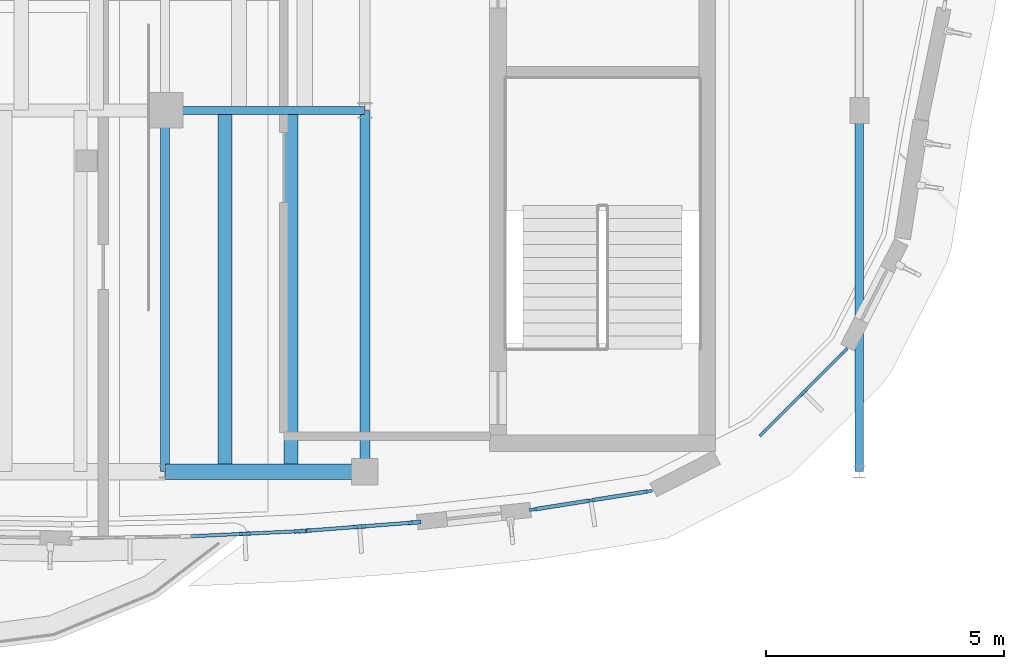
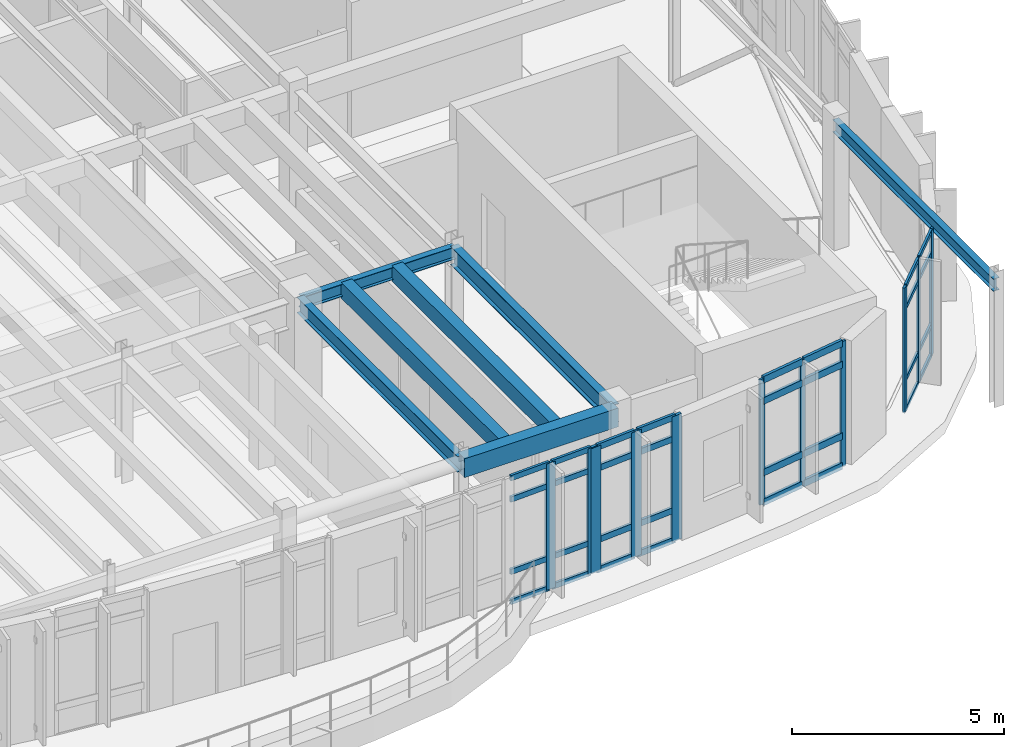
# One storey, part 50 of 111: 43 members, 7 beams, 4 elements without a shape of their own.
"""IFC4 building model written with IfcOpenShell, lengths in metres."""

from ifc_helpers import new_model, si_unit, direction, frame, origin, origin_2d, place, context, subcontext, project, spatial, rectangle, i_section, extrude, material, material_profile, profile_set, type_object, element, aggregate, save


model = new_model("IFC4")

# Units and contexts
model_context = context("Model", 3, precision=1e-05, world=origin(), true_north=direction((0.0, 1.0)))
body_context = subcontext(model_context, "Body", "Model", "MODEL_VIEW")
ifc_project = project(units=[si_unit("LENGTHUNIT", "METRE"), si_unit("AREAUNIT", "SQUARE_METRE"), si_unit("VOLUMEUNIT", "CUBIC_METRE"), si_unit("PLANEANGLEUNIT", "RADIAN"), si_unit("MASSUNIT", "GRAM", prefix="KILO")], contexts=[model_context])

# Site, building, storey
site_placement = place(None, origin())
site = spatial("IfcSite", under=ifc_project, at=site_placement, CompositionType="ELEMENT")
building_placement = place(site_placement, origin())
building = spatial("IfcBuilding", under=site, at=building_placement, Name="Corveleigh Park Community Centre", CompositionType="ELEMENT")
storey_placement = place(building_placement, frame((0.0, 0.0, 4.800048828125)))
storey = spatial("IfcBuildingStorey", under=building, at=storey_placement, Name="L01", CompositionType="ELEMENT", Elevation=4.800048828125)

# Beams
ifc_material_1 = material(Name="Concrete C40/50", Category="concrete")
ifc_material_profile_1 = material_profile(ifc_material_1, rectangle(XDim=0.300048828125, YDim=0.449951171875, at=origin_2d()), Name="RC-300x450", Category="concrete")
ifc_profile_set_1 = profile_set([ifc_material_profile_1], Name="Concrete C40/50")
beam_type_1 = type_object("IfcBeamType", Name="BM-RC-300x450", PredefinedType="JOIST", material=ifc_profile_set_1)
for number, where, z_axis, x_axis, name in (
    (1, (155.06005859375, 58.60498046875, 3.386962890625), (0.0, 1.0, 0.0), (-1.0, 0.0, 0.0), "Secondary floor joist"),
    (2, (156.446044921875, 58.60498046875, 3.386962890625), (0.0, 1.0, 0.0), (-1.0, 0.0, 0.0), "Secondary floor joist"),
):
    element("IfcBeam", number, at=place(storey_placement, frame(where, z_axis=z_axis, x_axis=x_axis)), inside=storey, type_object=beam_type_1, Name=name, PredefinedType="JOIST", context=body_context, shape_type="SweptSolid", body=[
        extrude(rectangle(XDim=0.300048828125, YDim=0.449951171875, at=origin_2d()), origin(), (0.0, 0.0, 1.0), 7.590087890625),
    ])
ifc_material_2 = material(Name="Steel S355", Category="steel")
ifc_material_profile_2 = material_profile(ifc_material_2, i_section(OverallWidth=0.172119140625, OverallDepth=0.35791015625, WebThickness=0.008056640625, FlangeThickness=0.012939453125, at=origin_2d()), Name="UKB 356x171x57", Category="steel")
ifc_profile_set_2 = profile_set([ifc_material_profile_2], Name="Steel S355")
beam_type_2 = type_object("IfcBeamType", Name="BM-STL-UKB356x57", PredefinedType="BEAM", material=ifc_profile_set_2)
beam_1_placement = place(storey_placement, frame((153.804931640625, 66.199951171875, 3.432861328125), z_axis=(1.0, 0.0, 0.0), x_axis=(0.0, 1.0, 0.0)))
element("IfcBeam", 3, at=beam_1_placement, inside=storey, type_object=beam_type_2, Name="V4 Girder X", PredefinedType="BEAM", context=body_context, shape_type="SweptSolid", body=[
    extrude(i_section(OverallWidth=0.172119140625, OverallDepth=0.35791015625, WebThickness=0.008056640625, FlangeThickness=0.012939453125, at=origin_2d()), origin(), (0.0, 0.0, 1.0), 4.190185546875),
])
beam_2_placement = place(storey_placement, frame((168.39990234375, 58.60498046875, 3.432861328125), z_axis=(0.0, 1.0, 0.0), x_axis=(-1.0, 0.0, 0.0)))
element("IfcBeam", 4, at=beam_2_placement, inside=storey, type_object=beam_type_2, Name="V4 Girder Y", PredefinedType="BEAM", context=body_context, shape_type="SweptSolid", body=[
    extrude(i_section(OverallWidth=0.172119140625, OverallDepth=0.35791015625, WebThickness=0.008056640625, FlangeThickness=0.012939453125, at=origin_2d()), origin(), (0.0, 0.0, 1.0), 7.590087890625),
])
ifc_material_profile_3 = material_profile(ifc_material_2, i_section(OverallWidth=0.18994140625, OverallDepth=0.453369140625, WebThickness=0.008544921875, FlangeThickness=0.0126953125, at=origin_2d()), Name="UKB 457x191x67", Category="steel")
ifc_profile_set_3 = profile_set([ifc_material_profile_3], Name="Steel S355")
beam_type_3 = type_object("IfcBeamType", Name="BM-STL-UKB457x67", PredefinedType="BEAM", material=ifc_profile_set_3)
beam_3_placement = place(storey_placement, frame((153.800048828125, 58.60498046875, 3.38525390625), z_axis=(0.0, 1.0, 0.0), x_axis=(-1.0, 0.0, 0.0)))
element("IfcBeam", 5, at=beam_3_placement, inside=storey, type_object=beam_type_3, Name="V4 Girder Y", PredefinedType="BEAM", context=body_context, shape_type="SweptSolid", body=[
    extrude(i_section(OverallWidth=0.18994140625, OverallDepth=0.453369140625, WebThickness=0.008544921875, FlangeThickness=0.0126953125, at=origin_2d()), origin(), (0.0, 0.0, 1.0), 7.590087890625),
])
ifc_material_profile_4 = material_profile(ifc_material_2, i_section(OverallWidth=0.210693359375, OverallDepth=0.53955078125, WebThickness=0.01171875, FlangeThickness=0.018798828125, at=origin_2d()), Name="UKB 533x210x109", Category="steel")
ifc_profile_set_4 = profile_set([ifc_material_profile_4], Name="Steel S355")
beam_type_4 = type_object("IfcBeamType", Name="BM-STL-UKB533x109", PredefinedType="BEAM", material=ifc_profile_set_4)
beam_4_placement = place(storey_placement, frame((158.0, 58.60498046875, 3.34228515625), z_axis=(0.0, 1.0, 0.0), x_axis=(-1.0, 0.0, 0.0)))
element("IfcBeam", 6, at=beam_4_placement, inside=storey, type_object=beam_type_4, Name="V4 Girder Y", PredefinedType="BEAM", context=body_context, shape_type="SweptSolid", body=[
    extrude(i_section(OverallWidth=0.210693359375, OverallDepth=0.53955078125, WebThickness=0.01171875, FlangeThickness=0.018798828125, at=origin_2d()), origin(), (0.0, 0.0, 1.0), 7.590087890625),
])

# Curtain wall, members
ifc_material_3 = material(Name="Anodised aluminium 6063-T6", Category="aluminium")
curtain_wall_type = type_object("IfcCurtainWallType", Name="CW-SYS-V4-L01", PredefinedType="NOTDEFINED", material=ifc_material_3)
curtain_wall_1_placement = place(storey_placement, origin())
curtain_wall_1 = element("IfcCurtainWall", 7, at=curtain_wall_1_placement, inside=storey, type_object=curtain_wall_type, Name="V4 L01 Curtain Wall 265", PredefinedType="NOTDEFINED")
ifc_material_profile_5 = material_profile(ifc_material_3, rectangle(XDim=0.06005859375, YDim=0.159912109375, at=origin_2d()), Name="ALU-M60x160", Category="aluminium")
ifc_profile_set_5 = profile_set([ifc_material_profile_5], Name="Anodised aluminium 6063-T6")
member_type_1 = type_object("IfcMemberType", Name="CWM-60x160", PredefinedType="MULLION", material=ifc_profile_set_5)
member_1_placement = place(storey_placement, frame((163.96630859375, 58.1904296875, 0.0), z_axis=(0.0, 0.0, 1.0), x_axis=(0.156207498942, -0.987724261762, 0.0)))
member_1 = element("IfcMember", 8, at=member_1_placement, type_object=member_type_1, Name="CW08 mullion 1", PredefinedType="MULLION", context=body_context, shape_type="SweptSolid", body=[
    extrude(rectangle(XDim=0.06005859375, YDim=0.159912109375, at=origin_2d()), origin(), (0.0, 0.0, 1.0), 3.612060546875),
])
member_2_placement = place(storey_placement, frame((162.75341796875, 57.99853515625, 0.0), z_axis=(0.0, 0.0, 1.0), x_axis=(0.156207498942, -0.987724261762, 0.0)))
member_2 = element("IfcMember", 9, at=member_2_placement, type_object=member_type_1, Name="CW08 mullion 2", PredefinedType="MULLION", context=body_context, shape_type="SweptSolid", body=[
    extrude(rectangle(XDim=0.06005859375, YDim=0.159912109375, at=origin_2d()), origin(), (0.0, 0.0, 1.0), 3.612060546875),
])
member_3_placement = place(storey_placement, frame((161.54052734375, 57.806640625, 0.0), z_axis=(0.0, 0.0, 1.0), x_axis=(0.156207498942, -0.987724261762, 0.0)))
member_3 = element("IfcMember", 10, at=member_3_placement, type_object=member_type_1, Name="CW08 mullion 3", PredefinedType="MULLION", context=body_context, shape_type="SweptSolid", body=[
    extrude(rectangle(XDim=0.06005859375, YDim=0.159912109375, at=origin_2d()), origin(), (0.0, 0.0, 1.0), 3.612060546875),
])

curtain_wall_2_placement = place(storey_placement, origin())
curtain_wall_2 = element("IfcCurtainWall", 11, at=curtain_wall_2_placement, inside=storey, type_object=curtain_wall_type, Name="V4 L01 Curtain Wall 266", PredefinedType="NOTDEFINED")
ifc_material_profile_6 = material_profile(ifc_material_3, rectangle(XDim=0.06494140625, YDim=0.179931640625, at=origin_2d()), Name="ALU-M65x180", Category="aluminium")
ifc_profile_set_6 = profile_set([ifc_material_profile_6], Name="Anodised aluminium 6063-T6")
member_type_2 = type_object("IfcMemberType", Name="CWM-65x180", PredefinedType="MULLION", material=ifc_profile_set_6)
member_4_placement = place(storey_placement, frame((168.083984375, 61.130126953125, 0.0), z_axis=(0.0, 0.0, 1.0), x_axis=(0.707106781187, -0.707106781187, 0.0)))
member_4 = element("IfcMember", 12, at=member_4_placement, type_object=member_type_2, Name="CW08 mullion 1", PredefinedType="MULLION", context=body_context, shape_type="SweptSolid", body=[
    extrude(rectangle(XDim=0.06494140625, YDim=0.179931640625, at=origin_2d()), origin(), (0.0, 0.0, 1.0), 3.612060546875),
])
member_5_placement = place(storey_placement, frame((167.22705078125, 60.27294921875, 0.0), z_axis=(0.0, 0.0, 1.0), x_axis=(0.707106781187, -0.707106781187, 0.0)))
member_5 = element("IfcMember", 13, at=member_5_placement, type_object=member_type_2, Name="CW08 mullion 2", PredefinedType="MULLION", context=body_context, shape_type="SweptSolid", body=[
    extrude(rectangle(XDim=0.06494140625, YDim=0.179931640625, at=origin_2d()), origin(), (0.0, 0.0, 1.0), 3.612060546875),
])
member_6_placement = place(storey_placement, frame((166.369873046875, 59.416015625, 0.0), z_axis=(0.0, 0.0, 1.0), x_axis=(0.707106781187, -0.707106781187, 0.0)))
member_6 = element("IfcMember", 14, at=member_6_placement, type_object=member_type_2, Name="CW08 mullion 3", PredefinedType="MULLION", context=body_context, shape_type="SweptSolid", body=[
    extrude(rectangle(XDim=0.06494140625, YDim=0.179931640625, at=origin_2d()), origin(), (0.0, 0.0, 1.0), 3.612060546875),
])

curtain_wall_3_placement = place(storey_placement, origin())
curtain_wall_3 = element("IfcCurtainWall", 15, at=curtain_wall_3_placement, inside=storey, type_object=curtain_wall_type, Name="V4 L01 Curtain Wall 263", PredefinedType="NOTDEFINED")
ifc_material_profile_7 = material_profile(ifc_material_3, rectangle(XDim=0.080078125, YDim=0.25, at=origin_2d()), Name="ALU-M80x250", Category="aluminium")
ifc_profile_set_7 = profile_set([ifc_material_profile_7], Name="Anodised aluminium 6063-T6")
member_type_3 = type_object("IfcMemberType", Name="CWM-80x250", PredefinedType="MULLION", material=ifc_profile_set_7)
member_7_placement = place(storey_placement, frame((156.635009765625, 57.35107421875, 0.0), z_axis=(0.0, 0.0, 1.0), x_axis=(0.046654729122, -0.998911075247, 0.0)))
member_7 = element("IfcMember", 16, at=member_7_placement, type_object=member_type_3, Name="CW08 mullion 1", PredefinedType="MULLION", context=body_context, shape_type="SweptSolid", body=[
    extrude(rectangle(XDim=0.080078125, YDim=0.25, at=origin_2d()), origin(), (0.0, 0.0, 1.0), 3.636962890625),
])
member_8_placement = place(storey_placement, frame((155.47607421875, 57.297119140625, 0.0), z_axis=(0.0, 0.0, 1.0), x_axis=(0.046654729122, -0.998911075247, 0.0)))
member_8 = element("IfcMember", 17, at=member_8_placement, type_object=member_type_3, Name="CW08 mullion 2", PredefinedType="MULLION", context=body_context, shape_type="SweptSolid", body=[
    extrude(rectangle(XDim=0.080078125, YDim=0.25, at=origin_2d()), origin(), (0.0, 0.0, 1.0), 3.636962890625),
])

curtain_wall_4_placement = place(storey_placement, origin())
curtain_wall_4 = element("IfcCurtainWall", 18, at=curtain_wall_4_placement, inside=storey, type_object=curtain_wall_type, Name="V4 L01 Curtain Wall 264", PredefinedType="NOTDEFINED")
ifc_material_profile_8 = material_profile(ifc_material_3, rectangle(XDim=0.0849609375, YDim=0.27490234375, at=origin_2d()), Name="ALU-M85x275", Category="aluminium")
ifc_profile_set_8 = profile_set([ifc_material_profile_8], Name="Anodised aluminium 6063-T6")
member_type_4 = type_object("IfcMemberType", Name="CWM-85x275", PredefinedType="MULLION", material=ifc_profile_set_8)
member_9_placement = place(storey_placement, frame((159.044677734375, 57.53466796875, 0.0), z_axis=(0.0, 0.0, 1.0), x_axis=(0.076632801378, -0.997059383263, 0.0)))
member_9 = element("IfcMember", 19, at=member_9_placement, type_object=member_type_4, Name="CW08 mullion 1", PredefinedType="MULLION", context=body_context, shape_type="SweptSolid", body=[
    extrude(rectangle(XDim=0.0849609375, YDim=0.27490234375, at=origin_2d()), origin(), (0.0, 0.0, 1.0), 3.612060546875),
])
member_10_placement = place(storey_placement, frame((157.889892578125, 57.446044921875, 0.0), z_axis=(0.0, 0.0, 1.0), x_axis=(0.076632801378, -0.997059383263, 0.0)))
member_10 = element("IfcMember", 20, at=member_10_placement, type_object=member_type_4, Name="CW08 mullion 2", PredefinedType="MULLION", context=body_context, shape_type="SweptSolid", body=[
    extrude(rectangle(XDim=0.0849609375, YDim=0.27490234375, at=origin_2d()), origin(), (0.0, 0.0, 1.0), 3.612060546875),
])
member_11_placement = place(storey_placement, frame((156.7353515625, 57.357177734375, 0.0), z_axis=(0.0, 0.0, 1.0), x_axis=(0.076632801378, -0.997059383263, 0.0)))
member_11 = element("IfcMember", 21, at=member_11_placement, type_object=member_type_4, Name="CW08 mullion 3", PredefinedType="MULLION", context=body_context, shape_type="SweptSolid", body=[
    extrude(rectangle(XDim=0.0849609375, YDim=0.27490234375, at=origin_2d()), origin(), (0.0, 0.0, 1.0), 3.612060546875),
])

# Member
ifc_material_profile_9 = material_profile(ifc_material_3, rectangle(XDim=0.06005859375, YDim=0.1201171875, at=origin_2d()), Name="ALU-T60x120", Category="aluminium")
ifc_profile_set_9 = profile_set([ifc_material_profile_9], Name="Anodised aluminium 6063-T6")
member_type_5 = type_object("IfcMemberType", Name="CWT-60x120", PredefinedType="USERDEFINED", material=ifc_profile_set_9)
member_12_placement = place(storey_placement, frame((168.06103515625, 61.10693359375, 0.030029296875), z_axis=(-0.707106781187, -0.707106781187, 0.0), x_axis=(0.707106781187, -0.707106781187, 0.0)))
member_12 = element("IfcMember", 22, at=member_12_placement, type_object=member_type_5, Name="CW08 transom 1.1", ObjectType="TRANSOM", PredefinedType="USERDEFINED", context=body_context, shape_type="SweptSolid", body=[
    extrude(rectangle(XDim=0.06005859375, YDim=0.1201171875, at=origin_2d()), origin(), (0.0, 0.0, 1.0), 1.14697265625),
])

member_13_placement = place(storey_placement, frame((168.06103515625, 61.10693359375, 0.89990234375), z_axis=(-0.707106781187, -0.707106781187, 0.0), x_axis=(0.707106781187, -0.707106781187, 0.0)))
member_13 = element("IfcMember", 23, at=member_13_placement, type_object=member_type_5, Name="CW08 transom 1.2", ObjectType="TRANSOM", PredefinedType="USERDEFINED", context=body_context, shape_type="SweptSolid", body=[
    extrude(rectangle(XDim=0.06005859375, YDim=0.1201171875, at=origin_2d()), origin(), (0.0, 0.0, 1.0), 1.14697265625),
])

member_14_placement = place(storey_placement, frame((168.06103515625, 61.10693359375, 2.9619140625), z_axis=(-0.707106781187, -0.707106781187, 0.0), x_axis=(0.707106781187, -0.707106781187, 0.0)))
member_14 = element("IfcMember", 24, at=member_14_placement, type_object=member_type_5, Name="CW08 transom 1.3", ObjectType="TRANSOM", PredefinedType="USERDEFINED", context=body_context, shape_type="SweptSolid", body=[
    extrude(rectangle(XDim=0.06005859375, YDim=0.1201171875, at=origin_2d()), origin(), (0.0, 0.0, 1.0), 1.14697265625),
])

member_15_placement = place(storey_placement, frame((168.06103515625, 61.10693359375, 3.58203125), z_axis=(-0.707106781187, -0.707106781187, 0.0), x_axis=(0.707106781187, -0.707106781187, 0.0)))
member_15 = element("IfcMember", 25, at=member_15_placement, type_object=member_type_5, Name="CW08 transom 1.4", ObjectType="TRANSOM", PredefinedType="USERDEFINED", context=body_context, shape_type="SweptSolid", body=[
    extrude(rectangle(XDim=0.06005859375, YDim=0.1201171875, at=origin_2d()), origin(), (0.0, 0.0, 1.0), 1.14697265625),
])

member_16_placement = place(storey_placement, frame((167.2041015625, 60.25, 0.030029296875), z_axis=(-0.707106781187, -0.707106781187, 0.0), x_axis=(0.707106781187, -0.707106781187, 0.0)))
member_16 = element("IfcMember", 26, at=member_16_placement, type_object=member_type_5, Name="CW08 transom 2.1", ObjectType="TRANSOM", PredefinedType="USERDEFINED", context=body_context, shape_type="SweptSolid", body=[
    extrude(rectangle(XDim=0.06005859375, YDim=0.1201171875, at=origin_2d()), origin(), (0.0, 0.0, 1.0), 1.14697265625),
])

member_17_placement = place(storey_placement, frame((167.2041015625, 60.25, 0.89990234375), z_axis=(-0.707106781187, -0.707106781187, 0.0), x_axis=(0.707106781187, -0.707106781187, 0.0)))
member_17 = element("IfcMember", 27, at=member_17_placement, type_object=member_type_5, Name="CW08 transom 2.2", ObjectType="TRANSOM", PredefinedType="USERDEFINED", context=body_context, shape_type="SweptSolid", body=[
    extrude(rectangle(XDim=0.06005859375, YDim=0.1201171875, at=origin_2d()), origin(), (0.0, 0.0, 1.0), 1.14697265625),
])

member_18_placement = place(storey_placement, frame((167.2041015625, 60.25, 2.9619140625), z_axis=(-0.707106781187, -0.707106781187, 0.0), x_axis=(0.707106781187, -0.707106781187, 0.0)))
member_18 = element("IfcMember", 28, at=member_18_placement, type_object=member_type_5, Name="CW08 transom 2.3", ObjectType="TRANSOM", PredefinedType="USERDEFINED", context=body_context, shape_type="SweptSolid", body=[
    extrude(rectangle(XDim=0.06005859375, YDim=0.1201171875, at=origin_2d()), origin(), (0.0, 0.0, 1.0), 1.14697265625),
])

member_19_placement = place(storey_placement, frame((167.2041015625, 60.25, 3.58203125), z_axis=(-0.707106781187, -0.707106781187, 0.0), x_axis=(0.707106781187, -0.707106781187, 0.0)))
member_19 = element("IfcMember", 29, at=member_19_placement, type_object=member_type_5, Name="CW08 transom 2.4", ObjectType="TRANSOM", PredefinedType="USERDEFINED", context=body_context, shape_type="SweptSolid", body=[
    extrude(rectangle(XDim=0.06005859375, YDim=0.1201171875, at=origin_2d()), origin(), (0.0, 0.0, 1.0), 1.14697265625),
])

aggregate(curtain_wall_2, [member_4, member_5, member_6, member_12, member_13, member_14, member_15, member_16, member_17, member_18, member_19])

ifc_material_profile_10 = material_profile(ifc_material_3, rectangle(XDim=0.070068359375, YDim=0.155029296875, at=origin_2d()), Name="ALU-T70x155", Category="aluminium")
ifc_profile_set_10 = profile_set([ifc_material_profile_10], Name="Anodised aluminium 6063-T6")
member_type_6 = type_object("IfcMemberType", Name="CWT-70x155", PredefinedType="USERDEFINED", material=ifc_profile_set_10)
member_20_placement = place(storey_placement, frame((156.594970703125, 57.349365234375, 0.034912109375), z_axis=(-0.998905155419, -0.04678130479, 0.0), x_axis=(0.04678130479, -0.998905155419, 0.0)))
member_20 = element("IfcMember", 30, at=member_20_placement, type_object=member_type_6, Name="CW08 transom 1.1", ObjectType="TRANSOM", PredefinedType="USERDEFINED", context=body_context, shape_type="SweptSolid", body=[
    extrude(rectangle(XDim=0.070068359375, YDim=0.155029296875, at=origin_2d()), origin(), (0.0, 0.0, 1.0), 1.080322265625),
])

member_21_placement = place(storey_placement, frame((156.594970703125, 57.349365234375, 0.89990234375), z_axis=(-0.998905155419, -0.04678130479, 0.0), x_axis=(0.04678130479, -0.998905155419, 0.0)))
member_21 = element("IfcMember", 31, at=member_21_placement, type_object=member_type_6, Name="CW08 transom 1.2", ObjectType="TRANSOM", PredefinedType="USERDEFINED", context=body_context, shape_type="SweptSolid", body=[
    extrude(rectangle(XDim=0.070068359375, YDim=0.155029296875, at=origin_2d()), origin(), (0.0, 0.0, 1.0), 1.080322265625),
])

member_22_placement = place(storey_placement, frame((156.594970703125, 57.349365234375, 2.987060546875), z_axis=(-0.998905155419, -0.04678130479, 0.0), x_axis=(0.04678130479, -0.998905155419, 0.0)))
member_22 = element("IfcMember", 32, at=member_22_placement, type_object=member_type_6, Name="CW08 transom 1.3", ObjectType="TRANSOM", PredefinedType="USERDEFINED", context=body_context, shape_type="SweptSolid", body=[
    extrude(rectangle(XDim=0.070068359375, YDim=0.155029296875, at=origin_2d()), origin(), (0.0, 0.0, 1.0), 1.080322265625),
])

member_23_placement = place(storey_placement, frame((156.594970703125, 57.349365234375, 3.60205078125), z_axis=(-0.998905155419, -0.04678130479, 0.0), x_axis=(0.04678130479, -0.998905155419, 0.0)))
member_23 = element("IfcMember", 33, at=member_23_placement, type_object=member_type_6, Name="CW08 transom 1.4", ObjectType="TRANSOM", PredefinedType="USERDEFINED", context=body_context, shape_type="SweptSolid", body=[
    extrude(rectangle(XDim=0.070068359375, YDim=0.155029296875, at=origin_2d()), origin(), (0.0, 0.0, 1.0), 1.080322265625),
])

member_24_placement = place(storey_placement, frame((155.43603515625, 57.295166015625, 0.034912109375), z_axis=(-0.998905155419, -0.04678130479, 0.0), x_axis=(0.04678130479, -0.998905155419, 0.0)))
member_24 = element("IfcMember", 34, at=member_24_placement, type_object=member_type_6, Name="CW08 transom 2.1", ObjectType="TRANSOM", PredefinedType="USERDEFINED", context=body_context, shape_type="SweptSolid", body=[
    extrude(rectangle(XDim=0.070068359375, YDim=0.155029296875, at=origin_2d()), origin(), (0.0, 0.0, 1.0), 1.080322265625),
])

member_25_placement = place(storey_placement, frame((155.43603515625, 57.295166015625, 0.89990234375), z_axis=(-0.998905155419, -0.04678130479, 0.0), x_axis=(0.04678130479, -0.998905155419, 0.0)))
member_25 = element("IfcMember", 35, at=member_25_placement, type_object=member_type_6, Name="CW08 transom 2.2", ObjectType="TRANSOM", PredefinedType="USERDEFINED", context=body_context, shape_type="SweptSolid", body=[
    extrude(rectangle(XDim=0.070068359375, YDim=0.155029296875, at=origin_2d()), origin(), (0.0, 0.0, 1.0), 1.080322265625),
])

member_26_placement = place(storey_placement, frame((155.43603515625, 57.295166015625, 2.987060546875), z_axis=(-0.998905155419, -0.04678130479, 0.0), x_axis=(0.04678130479, -0.998905155419, 0.0)))
member_26 = element("IfcMember", 36, at=member_26_placement, type_object=member_type_6, Name="CW08 transom 2.3", ObjectType="TRANSOM", PredefinedType="USERDEFINED", context=body_context, shape_type="SweptSolid", body=[
    extrude(rectangle(XDim=0.070068359375, YDim=0.155029296875, at=origin_2d()), origin(), (0.0, 0.0, 1.0), 1.080322265625),
])

member_27_placement = place(storey_placement, frame((155.43603515625, 57.295166015625, 3.60205078125), z_axis=(-0.998905155419, -0.04678130479, 0.0), x_axis=(0.04678130479, -0.998905155419, 0.0)))
member_27 = element("IfcMember", 37, at=member_27_placement, type_object=member_type_6, Name="CW08 transom 2.4", ObjectType="TRANSOM", PredefinedType="USERDEFINED", context=body_context, shape_type="SweptSolid", body=[
    extrude(rectangle(XDim=0.070068359375, YDim=0.155029296875, at=origin_2d()), origin(), (0.0, 0.0, 1.0), 1.080322265625),
])

aggregate(curtain_wall_3, [member_7, member_8, member_20, member_21, member_22, member_23, member_24, member_25, member_26, member_27])

ifc_material_profile_11 = material_profile(ifc_material_3, rectangle(XDim=0.074951171875, YDim=0.175048828125, at=origin_2d()), Name="ALU-T75x175", Category="aluminium")
ifc_profile_set_11 = profile_set([ifc_material_profile_11], Name="Anodised aluminium 6063-T6")
member_type_7 = type_object("IfcMemberType", Name="CWT-75x175", PredefinedType="USERDEFINED", material=ifc_profile_set_11)
member_28_placement = place(storey_placement, frame((159.002197265625, 57.531494140625, 0.037353515625), z_axis=(-0.997055823788, -0.076679099182, 0.0), x_axis=(0.076679099182, -0.997055823788, 0.0)))
member_28 = element("IfcMember", 38, at=member_28_placement, type_object=member_type_7, Name="CW08 transom 1.1", ObjectType="TRANSOM", PredefinedType="USERDEFINED", context=body_context, shape_type="SweptSolid", body=[
    extrude(rectangle(XDim=0.074951171875, YDim=0.175048828125, at=origin_2d()), origin(), (0.0, 0.0, 1.0), 1.072998046875),
])

member_29_placement = place(storey_placement, frame((159.002197265625, 57.531494140625, 0.89990234375), z_axis=(-0.997055823788, -0.076679099182, 0.0), x_axis=(0.076679099182, -0.997055823788, 0.0)))
member_29 = element("IfcMember", 39, at=member_29_placement, type_object=member_type_7, Name="CW08 transom 1.2", ObjectType="TRANSOM", PredefinedType="USERDEFINED", context=body_context, shape_type="SweptSolid", body=[
    extrude(rectangle(XDim=0.074951171875, YDim=0.175048828125, at=origin_2d()), origin(), (0.0, 0.0, 1.0), 1.072998046875),
])

member_30_placement = place(storey_placement, frame((159.002197265625, 57.531494140625, 2.9619140625), z_axis=(-0.997055823788, -0.076679099182, 0.0), x_axis=(0.076679099182, -0.997055823788, 0.0)))
member_30 = element("IfcMember", 40, at=member_30_placement, type_object=member_type_7, Name="CW08 transom 1.3", ObjectType="TRANSOM", PredefinedType="USERDEFINED", context=body_context, shape_type="SweptSolid", body=[
    extrude(rectangle(XDim=0.074951171875, YDim=0.175048828125, at=origin_2d()), origin(), (0.0, 0.0, 1.0), 1.072998046875),
])

member_31_placement = place(storey_placement, frame((159.002197265625, 57.531494140625, 3.574462890625), z_axis=(-0.997055823788, -0.076679099182, 0.0), x_axis=(0.076679099182, -0.997055823788, 0.0)))
member_31 = element("IfcMember", 41, at=member_31_placement, type_object=member_type_7, Name="CW08 transom 1.4", ObjectType="TRANSOM", PredefinedType="USERDEFINED", context=body_context, shape_type="SweptSolid", body=[
    extrude(rectangle(XDim=0.074951171875, YDim=0.175048828125, at=origin_2d()), origin(), (0.0, 0.0, 1.0), 1.072998046875),
])

member_32_placement = place(storey_placement, frame((157.84765625, 57.442626953125, 0.037353515625), z_axis=(-0.997073194199, -0.07645289668, 0.0), x_axis=(0.07645289668, -0.997073194199, 0.0)))
member_32 = element("IfcMember", 42, at=member_32_placement, type_object=member_type_7, Name="CW08 transom 2.1", ObjectType="TRANSOM", PredefinedType="USERDEFINED", context=body_context, shape_type="SweptSolid", body=[
    extrude(rectangle(XDim=0.074951171875, YDim=0.175048828125, at=origin_2d()), origin(), (0.0, 0.0, 1.0), 1.072998046875),
])

member_33_placement = place(storey_placement, frame((157.84765625, 57.442626953125, 0.89990234375), z_axis=(-0.997073194199, -0.07645289668, 0.0), x_axis=(0.07645289668, -0.997073194199, 0.0)))
member_33 = element("IfcMember", 43, at=member_33_placement, type_object=member_type_7, Name="CW08 transom 2.2", ObjectType="TRANSOM", PredefinedType="USERDEFINED", context=body_context, shape_type="SweptSolid", body=[
    extrude(rectangle(XDim=0.074951171875, YDim=0.175048828125, at=origin_2d()), origin(), (0.0, 0.0, 1.0), 1.072998046875),
])

member_34_placement = place(storey_placement, frame((157.84765625, 57.442626953125, 2.9619140625), z_axis=(-0.997073194199, -0.07645289668, 0.0), x_axis=(0.07645289668, -0.997073194199, 0.0)))
member_34 = element("IfcMember", 44, at=member_34_placement, type_object=member_type_7, Name="CW08 transom 2.3", ObjectType="TRANSOM", PredefinedType="USERDEFINED", context=body_context, shape_type="SweptSolid", body=[
    extrude(rectangle(XDim=0.074951171875, YDim=0.175048828125, at=origin_2d()), origin(), (0.0, 0.0, 1.0), 1.072998046875),
])

member_35_placement = place(storey_placement, frame((157.84765625, 57.442626953125, 3.574462890625), z_axis=(-0.997073194199, -0.07645289668, 0.0), x_axis=(0.07645289668, -0.997073194199, 0.0)))
member_35 = element("IfcMember", 45, at=member_35_placement, type_object=member_type_7, Name="CW08 transom 2.4", ObjectType="TRANSOM", PredefinedType="USERDEFINED", context=body_context, shape_type="SweptSolid", body=[
    extrude(rectangle(XDim=0.074951171875, YDim=0.175048828125, at=origin_2d()), origin(), (0.0, 0.0, 1.0), 1.072998046875),
])

aggregate(curtain_wall_4, [member_9, member_10, member_11, member_28, member_29, member_30, member_31, member_32, member_33, member_34, member_35])

ifc_material_profile_12 = material_profile(ifc_material_3, rectangle(XDim=0.080078125, YDim=0.195068359375, at=origin_2d()), Name="ALU-T80x195", Category="aluminium")
ifc_profile_set_12 = profile_set([ifc_material_profile_12], Name="Anodised aluminium 6063-T6")
member_type_8 = type_object("IfcMemberType", Name="CWT-80x195", PredefinedType="USERDEFINED", material=ifc_profile_set_12)
member_36_placement = place(storey_placement, frame((163.936767578125, 58.185546875, 0.0400390625), z_axis=(-0.98773243732, -0.156155794852, 0.0), x_axis=(0.156155794852, -0.98773243732, 0.0)))
member_36 = element("IfcMember", 46, at=member_36_placement, type_object=member_type_8, Name="CW08 transom 1.1", ObjectType="TRANSOM", PredefinedType="USERDEFINED", context=body_context, shape_type="SweptSolid", body=[
    extrude(rectangle(XDim=0.080078125, YDim=0.195068359375, at=origin_2d()), origin(), (0.0, 0.0, 1.0), 1.16796875),
])

member_37_placement = place(storey_placement, frame((163.936767578125, 58.185546875, 0.89990234375), z_axis=(-0.98773243732, -0.156155794852, 0.0), x_axis=(0.156155794852, -0.98773243732, 0.0)))
member_37 = element("IfcMember", 47, at=member_37_placement, type_object=member_type_8, Name="CW08 transom 1.2", ObjectType="TRANSOM", PredefinedType="USERDEFINED", context=body_context, shape_type="SweptSolid", body=[
    extrude(rectangle(XDim=0.080078125, YDim=0.195068359375, at=origin_2d()), origin(), (0.0, 0.0, 1.0), 1.16796875),
])

member_38_placement = place(storey_placement, frame((163.936767578125, 58.185546875, 2.9619140625), z_axis=(-0.98773243732, -0.156155794852, 0.0), x_axis=(0.156155794852, -0.98773243732, 0.0)))
member_38 = element("IfcMember", 48, at=member_38_placement, type_object=member_type_8, Name="CW08 transom 1.3", ObjectType="TRANSOM", PredefinedType="USERDEFINED", context=body_context, shape_type="SweptSolid", body=[
    extrude(rectangle(XDim=0.080078125, YDim=0.195068359375, at=origin_2d()), origin(), (0.0, 0.0, 1.0), 1.16796875),
])

member_39_placement = place(storey_placement, frame((163.936767578125, 58.185546875, 3.572021484375), z_axis=(-0.98773243732, -0.156155794852, 0.0), x_axis=(0.156155794852, -0.98773243732, 0.0)))
member_39 = element("IfcMember", 49, at=member_39_placement, type_object=member_type_8, Name="CW08 transom 1.4", ObjectType="TRANSOM", PredefinedType="USERDEFINED", context=body_context, shape_type="SweptSolid", body=[
    extrude(rectangle(XDim=0.080078125, YDim=0.195068359375, at=origin_2d()), origin(), (0.0, 0.0, 1.0), 1.16796875),
])

member_40_placement = place(storey_placement, frame((162.723876953125, 57.993896484375, 0.0400390625), z_axis=(-0.987700174358, -0.156359731306, 0.0), x_axis=(0.156359731306, -0.987700174358, 0.0)))
member_40 = element("IfcMember", 50, at=member_40_placement, type_object=member_type_8, Name="CW08 transom 2.1", ObjectType="TRANSOM", PredefinedType="USERDEFINED", context=body_context, shape_type="SweptSolid", body=[
    extrude(rectangle(XDim=0.080078125, YDim=0.195068359375, at=origin_2d()), origin(), (0.0, 0.0, 1.0), 1.16796875),
])

member_41_placement = place(storey_placement, frame((162.723876953125, 57.993896484375, 0.89990234375), z_axis=(-0.987700174358, -0.156359731306, 0.0), x_axis=(0.156359731306, -0.987700174358, 0.0)))
member_41 = element("IfcMember", 51, at=member_41_placement, type_object=member_type_8, Name="CW08 transom 2.2", ObjectType="TRANSOM", PredefinedType="USERDEFINED", context=body_context, shape_type="SweptSolid", body=[
    extrude(rectangle(XDim=0.080078125, YDim=0.195068359375, at=origin_2d()), origin(), (0.0, 0.0, 1.0), 1.16796875),
])

member_42_placement = place(storey_placement, frame((162.723876953125, 57.993896484375, 2.9619140625), z_axis=(-0.987700174358, -0.156359731306, 0.0), x_axis=(0.156359731306, -0.987700174358, 0.0)))
member_42 = element("IfcMember", 52, at=member_42_placement, type_object=member_type_8, Name="CW08 transom 2.3", ObjectType="TRANSOM", PredefinedType="USERDEFINED", context=body_context, shape_type="SweptSolid", body=[
    extrude(rectangle(XDim=0.080078125, YDim=0.195068359375, at=origin_2d()), origin(), (0.0, 0.0, 1.0), 1.16796875),
])

member_43_placement = place(storey_placement, frame((162.723876953125, 57.993896484375, 3.572021484375), z_axis=(-0.987700174358, -0.156359731306, 0.0), x_axis=(0.156359731306, -0.987700174358, 0.0)))
member_43 = element("IfcMember", 53, at=member_43_placement, type_object=member_type_8, Name="CW08 transom 2.4", ObjectType="TRANSOM", PredefinedType="USERDEFINED", context=body_context, shape_type="SweptSolid", body=[
    extrude(rectangle(XDim=0.080078125, YDim=0.195068359375, at=origin_2d()), origin(), (0.0, 0.0, 1.0), 1.16796875),
])

aggregate(curtain_wall_1, [member_1, member_2, member_3, member_36, member_37, member_38, member_39, member_40, member_41, member_42, member_43])

# Beam
ifc_material_profile_13 = material_profile(ifc_material_1, rectangle(XDim=0.320068359375, YDim=0.5400390625, at=origin_2d()), Name="RC-320x540", Category="concrete")
ifc_profile_set_13 = profile_set([ifc_material_profile_13], Name="Concrete C40/50")
beam_type_5 = type_object("IfcBeamType", Name="SP-RC-320x540", PredefinedType="SPANDREL", material=ifc_profile_set_13)
beam_5_placement = place(storey_placement, frame((153.804931640625, 58.60009765625, 3.342041015625), z_axis=(1.0, 0.0, 0.0), x_axis=(0.0, 1.0, 0.0)))
element("IfcBeam", 54, at=beam_5_placement, inside=storey, type_object=beam_type_5, Name="V4 Girder X", PredefinedType="SPANDREL", context=body_context, shape_type="SweptSolid", body=[
    extrude(rectangle(XDim=0.320068359375, YDim=0.5400390625, at=origin_2d()), origin(), (0.0, 0.0, 1.0), 4.190185546875),
])

save(model, "model.ifc")
